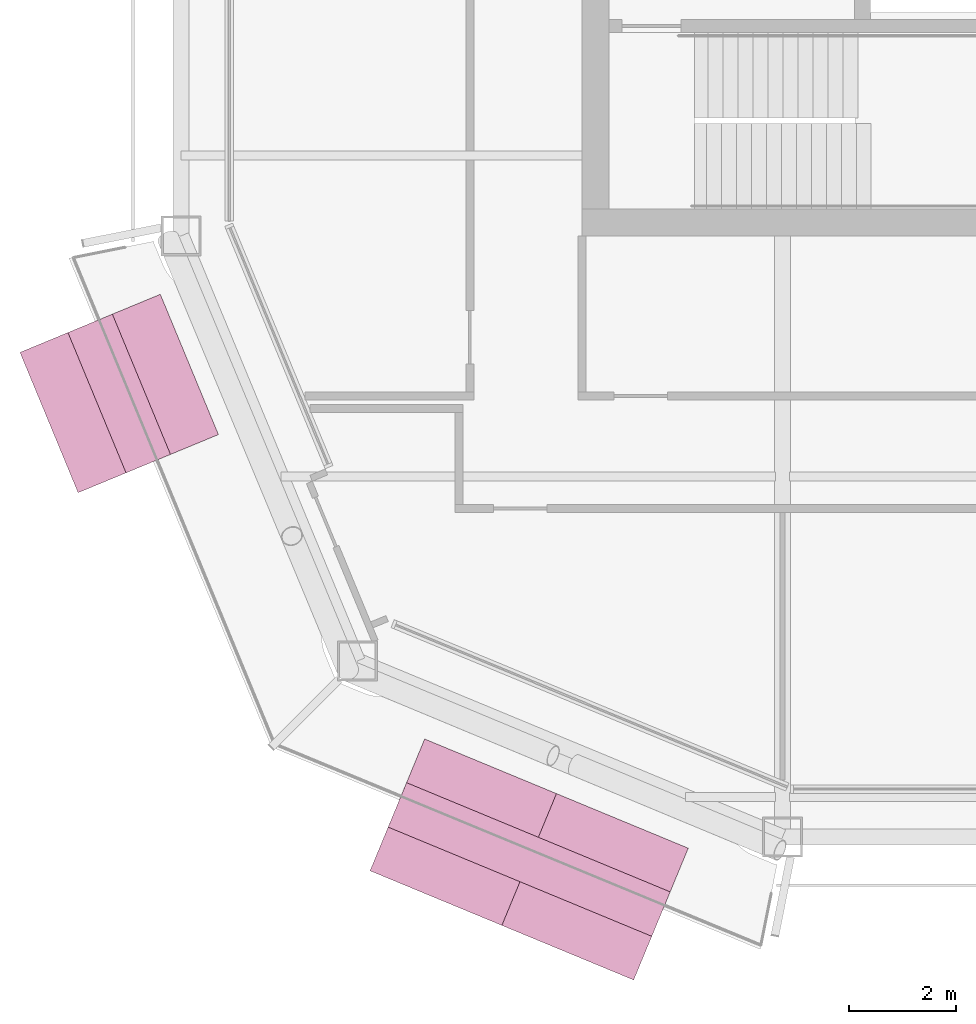
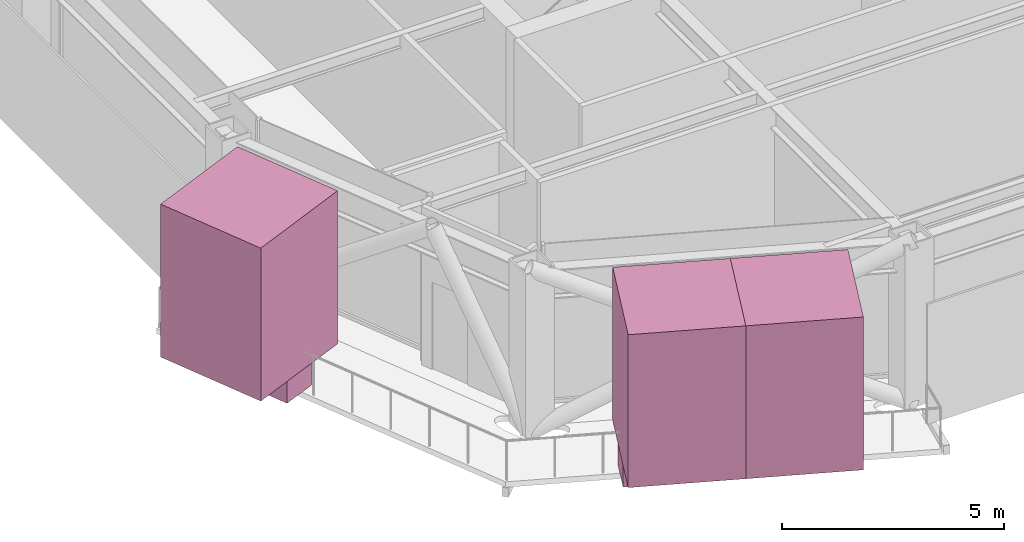
# One storey, part 20 of 20: 5 furnishings.
"""IFC4 building model written with IfcOpenShell, lengths in metres."""

from ifc_helpers import new_model, si_unit, direction, frame, origin, origin_2d, place, context, subcontext, project, spatial, rectangle, extrude, material, type_object, element, save


model = new_model("IFC4")

# Units and contexts
model_context = context("Model", 3, precision=1e-05, world=origin(), true_north=direction((0.0, 1.0)))
body_context = subcontext(model_context, "Body", "Model", "MODEL_VIEW")
ifc_project = project(units=[si_unit("LENGTHUNIT", "METRE"), si_unit("AREAUNIT", "SQUARE_METRE"), si_unit("VOLUMEUNIT", "CUBIC_METRE"), si_unit("PLANEANGLEUNIT", "RADIAN"), si_unit("MASSUNIT", "GRAM", prefix="KILO")], contexts=[model_context])

# Site, building, storey
site_placement = place(None, origin())
site = spatial("IfcSite", under=ifc_project, at=site_placement, CompositionType="ELEMENT")
building_placement = place(site_placement, origin())
building = spatial("IfcBuilding", under=site, at=building_placement, Name="Siwar Civic Tower", CompositionType="ELEMENT")
storey_placement = place(building_placement, frame((0.0, 0.0, 298.699951171875)))
storey = spatial("IfcBuildingStorey", under=building, at=storey_placement, Name="L64", CompositionType="ELEMENT", Elevation=298.699951171875)

# Furnishings
ifc_material_1 = material(Name="Planting soil and foliage")
furnishing_element_type_1 = type_object("IfcFurnishingElementType", Name="ENV-PLANTER", material=ifc_material_1)
furnishing_1_placement = place(storey_placement, frame((-25.909423828125, -16.449951171875, 0.0), z_axis=(0.0, 0.0, 1.0), x_axis=(0.382683432365, -0.923879532511, 0.0)))
element("IfcFurnishingElement", 1, at=furnishing_1_placement, inside=storey, type_object=furnishing_element_type_1, Name="PLANTER SW 1", context=body_context, shape_type="SweptSolid", body=[
    extrude(rectangle(XDim=2.84130859375, YDim=0.89990234375, at=origin_2d()), origin(), (0.0, 0.0, 1.0), 0.60009765625),
])
furnishing_2_placement = place(storey_placement, frame((-18.23974609375, -25.16796875, 0.0), z_axis=(0.0, 0.0, 1.0), x_axis=(0.923879532511, -0.382683432365, 0.0)))
element("IfcFurnishingElement", 2, at=furnishing_2_placement, inside=storey, type_object=furnishing_element_type_1, Name="PLANTER SW 2", context=body_context, shape_type="SweptSolid", body=[
    extrude(rectangle(XDim=5.33837890625, YDim=0.89990234375, at=origin_2d()), origin(), (0.0, 0.0, 1.0), 0.60009765625),
])
ifc_material_2 = material(Name="Planting soil and foliage")
furnishing_element_type_2 = type_object("IfcFurnishingElementType", Name="ENV-TREE", material=ifc_material_2)
furnishing_3_placement = place(storey_placement, frame((-25.909423828125, -16.449951171875, 0.60009765625), z_axis=(0.0, 0.0, 1.0), x_axis=(0.382683432365, -0.923879532511, 0.0)))
element("IfcFurnishingElement", 3, at=furnishing_3_placement, inside=storey, type_object=furnishing_element_type_2, Name="PLANTER (TREE) SW 1.1", context=body_context, shape_type="SweptSolid", body=[
    extrude(rectangle(XDim=2.84130859375, YDim=2.84130859375, at=origin_2d()), origin(), (0.0, 0.0, 1.0), 4.199951171875),
])
for number, where, z_axis, x_axis, name in (
    (4, (-19.472900390625, -24.6572265625, 0.60009765625), (0.0, 0.0, 1.0), (0.923879532511, -0.382683432365, 0.0), "PLANTER (TREE) SW 2.1"),
    (5, (-17.0068359375, -25.6787109375, 0.60009765625), (0.0, 0.0, 1.0), (0.923879532511, -0.382683432365, 0.0), "PLANTER (TREE) SW 2.2"),
):
    element("IfcFurnishingElement", number, at=place(storey_placement, frame(where, z_axis=z_axis, x_axis=x_axis)), inside=storey, type_object=furnishing_element_type_2, Name=name, context=body_context, shape_type="SweptSolid", body=[
        extrude(rectangle(XDim=2.669189453125, YDim=2.669189453125, at=origin_2d()), origin(), (0.0, 0.0, 1.0), 4.199951171875),
    ])

save(model, "model.ifc")
